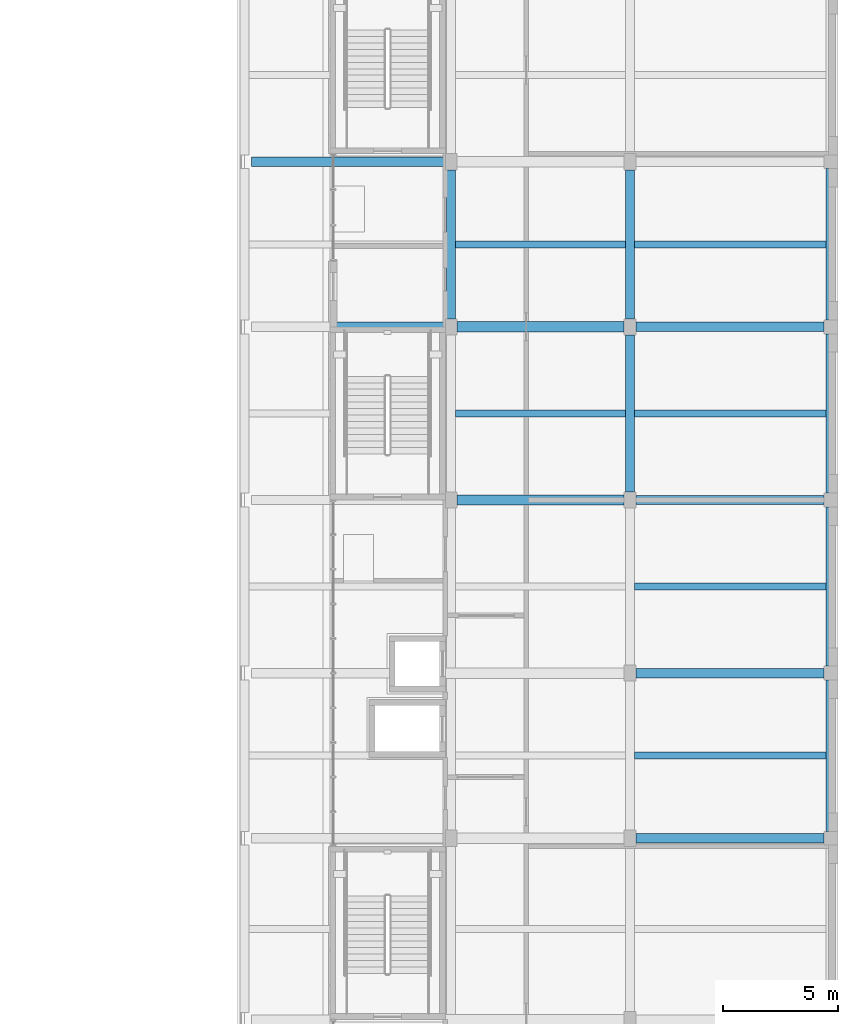
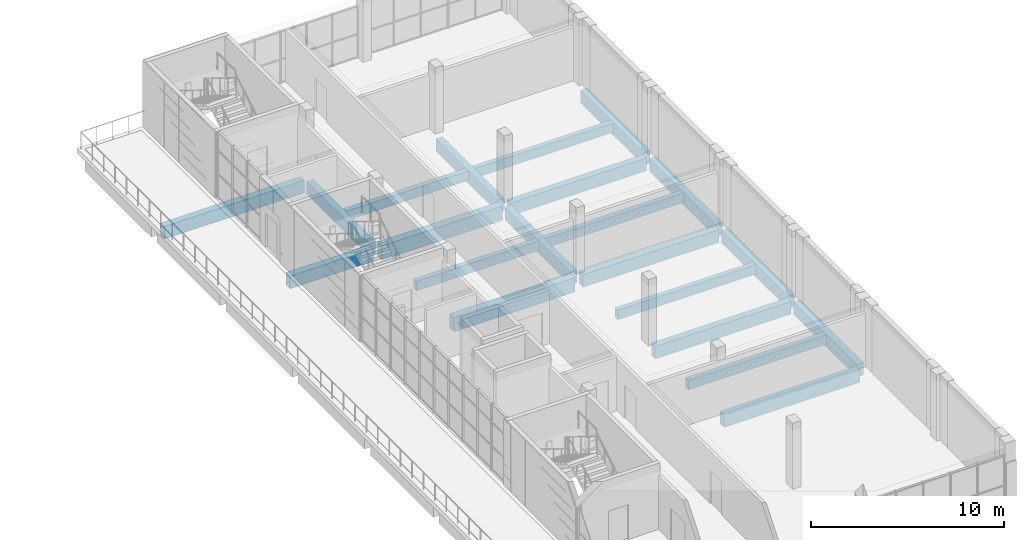
# One storey, part 12 of 36: 21 beams.
"""IFC4 building model written with IfcOpenShell, lengths in metres."""

import ifcopenshell
import ifcopenshell.guid

model = None  # the IFC model being written
_history = None  # IfcOwnerHistory: only IFC2X3 demands one
_inside = {}  # id of a spatial element -> (the spatial element, [elements in it])
_under = {}  # id of a project, library or spatial element -> (it, [spatial elements below it])
_declared = {}  # id of a project -> (the project, [libraries it declares])
_typed = {}  # id of a type object -> (the type object, [elements of that type])
_made_of = {}  # id of a material, layer set ... -> (it, [elements and type objects made of it])


def new_model(schema):
    """Start an empty IFC model of exactly this schema.

    Asked for "IFC4X3", IfcOpenShell would pick the latest addendum, in which some entities
    have other attributes; the version numbers below select the first issue.
    IFC2X3 requires an IfcOwnerHistory on every rooted entity: one is made here for all.
    """
    global model, _history
    if schema == "IFC4X3":
        model = ifcopenshell.file(schema_version=(4, 3, 0, 0))
    else:
        model = ifcopenshell.file(schema=schema)
    _inside.clear()
    _under.clear()
    _declared.clear()
    _typed.clear()
    _made_of.clear()
    _history = None
    if model.schema == "IFC2X3":
        org = make("IfcOrganization", Name="unknown")
        user = make(
            "IfcPersonAndOrganization",
            ThePerson=make("IfcPerson", FamilyName="unknown"),
            TheOrganization=org,
        )
        app = make(
            "IfcApplication",
            ApplicationDeveloper=org,
            Version="unknown",
            ApplicationFullName="unknown",
            ApplicationIdentifier="unknown",
        )
        _history = make(
            "IfcOwnerHistory",
            OwningUser=user,
            OwningApplication=app,
            ChangeAction="ADDED",
            CreationDate=0,
        )
    return model


def make(cls, **values):
    """One entity of the class cls with the attributes given. An attribute that is None is left unset."""
    return model.create_entity(
        cls, **{name: value for name, value in values.items() if value is not None}
    )


def rooted(cls, **values):
    """An entity with a GlobalId (a new one), such as an element, a storey or a relation."""
    return make(cls, GlobalId=ifcopenshell.guid.new(), OwnerHistory=_history, **values)


def si_unit(unit_type, name, prefix=None):
    """IfcSIUnit, for example si_unit("LENGTHUNIT", "METRE", prefix="MILLI")."""
    return make("IfcSIUnit", UnitType=unit_type, Prefix=prefix, Name=name)


def assignment(units):
    """IfcUnitAssignment: the units of a project."""
    return None if units is None else make("IfcUnitAssignment", Units=units)


def point(xyz):
    """IfcCartesianPoint."""
    return None if xyz is None else make("IfcCartesianPoint", Coordinates=xyz)


def direction(xyz):
    """IfcDirection."""
    return None if xyz is None else make("IfcDirection", DirectionRatios=xyz)


def frame(location, z_axis=None, x_axis=None):
    """IfcAxis2Placement3D, a coordinate frame: its origin and axes. An axis left out is left unset."""
    return make(
        "IfcAxis2Placement3D",
        Location=point(location),
        Axis=direction(z_axis),
        RefDirection=direction(x_axis),
    )


def frame_2d(location, x_axis=None):
    """IfcAxis2Placement2D, a coordinate frame in the plane: its origin and x axis."""
    return make(
        "IfcAxis2Placement2D", Location=point(location), RefDirection=direction(x_axis)
    )


def origin():
    """The frame at (0, 0, 0) with its axes left unset."""
    return frame((0.0, 0.0, 0.0))


def origin_2d():
    """The frame at (0, 0) in the plane with its x axis left unset."""
    return frame_2d((0.0, 0.0))


def place(relative_to, where):
    """IfcLocalPlacement: puts the frame where relative to a parent placement (None: the world)."""
    return make(
        "IfcLocalPlacement", PlacementRelTo=relative_to, RelativePlacement=where
    )


def context(
    kind, dimensions, precision=None, world=None, true_north=None, identifier=None
):
    """IfcGeometricRepresentationContext, for example the 3D "Model" context."""
    return make(
        "IfcGeometricRepresentationContext",
        ContextIdentifier=identifier,
        ContextType=kind,
        CoordinateSpaceDimension=dimensions,
        Precision=precision,
        WorldCoordinateSystem=world,
        TrueNorth=true_north,
    )


def subcontext(parent, identifier, kind, view, scale=None):
    """IfcGeometricRepresentationSubContext, for example "Body" below "Model"."""
    return make(
        "IfcGeometricRepresentationSubContext",
        ContextIdentifier=identifier,
        ContextType=kind,
        ParentContext=parent,
        TargetScale=scale,
        TargetView=view,
    )


def project(units=None, contexts=None):
    """IfcProject with its units and contexts."""
    return rooted(
        "IfcProject",
        Name="project",
        RepresentationContexts=contexts,
        UnitsInContext=assignment(units),
    )


def spatial(cls, under=None, at=None, **own):
    """A site, building, storey or space (cls), placed at a placement, below another one or the project."""
    s = rooted(cls, ObjectPlacement=at, **own)
    if under is not None:
        _under.setdefault(under.id(), (under, []))[1].append(s)
    return s


def profile(cls, at=None, kind="AREA", **sizes):
    """A parametric profile (cls). Its sizes go by their IFC names, for example OverallWidth=200.0."""
    return make(cls, ProfileType=kind, Position=at, **sizes)


def rectangle(**sizes):
    """IfcRectangleProfileDef."""
    return profile("IfcRectangleProfileDef", **sizes)


def extrude(swept, where, along, depth):
    """IfcExtrudedAreaSolid: the profile swept, set in the frame where, extruded along a direction by depth."""
    return make(
        "IfcExtrudedAreaSolid",
        SweptArea=swept,
        Position=where,
        ExtrudedDirection=direction(along),
        Depth=depth,
    )


def shape(context_of_items, identifier, shape_type, items):
    """IfcShapeRepresentation: the items that make up one representation, for example the "Body"."""
    return make(
        "IfcShapeRepresentation",
        ContextOfItems=context_of_items,
        RepresentationIdentifier=identifier,
        RepresentationType=shape_type,
        Items=items,
    )


def material(Name=None, Category=None):
    """IfcMaterial."""
    return make("IfcMaterial", Name=Name, Category=Category)


def material_profile(
    of_material, cross_section, Name=None, Category=None, Priority=None
):
    """IfcMaterialProfile: a cross section and its material."""
    return make(
        "IfcMaterialProfile",
        Name=Name,
        Material=of_material,
        Profile=cross_section,
        Priority=Priority,
        Category=Category,
    )


def profile_set(profiles, Name=None, composite=None):
    """IfcMaterialProfileSet."""
    return make(
        "IfcMaterialProfileSet",
        Name=Name,
        MaterialProfiles=profiles,
        CompositeProfile=composite,
    )


def made_of(thing, what):
    """Note that an element or type object is made of a material, layer set ...; save() writes the relation."""
    if what is not None:
        _made_of.setdefault(what.id(), (what, []))[1].append(thing)
    return thing


def type_object(cls, material=None, **own):
    """A type object (cls), such as IfcWallType, which elements share."""
    return made_of(rooted(cls, **own), material)


def element(
    cls,
    number,
    at=None,
    inside=None,
    cuts=None,
    type_object=None,
    material=None,
    context=None,
    identifier="Body",
    shape_type=None,
    held_by="IfcProductDefinitionShape",
    body=None,
    shapes=None,
    **own,
):
    """One element of the class cls, such as IfcWall. Its Tag is "e" and its number.

    at: its placement. inside: the storey or other place that contains it. cuts: it is an
    opening in that element (IfcRelVoidsElement). A single representation is given by context,
    identifier, shape_type and body (its items); several are given by shapes. held_by: the class
    of the entity that holds the representations. save() writes the other relations.
    """
    e = rooted(cls, Tag="e%d" % number, ObjectPlacement=at, **own)
    if body is not None:
        shapes = [shape(context, identifier, shape_type, body)]
    if shapes is not None:
        e.Representation = make(held_by, Representations=shapes)
    if inside is not None:
        _inside.setdefault(inside.id(), (inside, []))[1].append(e)
    if cuts is not None:
        rooted(
            "IfcRelVoidsElement", RelatingBuildingElement=cuts, RelatedOpeningElement=e
        )
    if type_object is not None:
        _typed.setdefault(type_object.id(), (type_object, []))[1].append(e)
    return made_of(e, material)


def aggregate(whole, parts):
    """IfcRelAggregates: a whole, such as a stair, and the parts it consists of."""
    return rooted("IfcRelAggregates", RelatingObject=whole, RelatedObjects=parts)


def save(model, path):
    """Write the relations noted so far, then the file.

    IfcRelAggregates (storeys below a building ...), IfcRelContainedInSpatialStructure (elements
    in a storey), IfcRelDefinesByType, IfcRelAssociatesMaterial and IfcRelDeclares: one each for
    every whole, place, type object, material and project.
    """
    for whole, parts in _under.values():
        aggregate(whole, parts)
    for where, things in _inside.values():
        rooted(
            "IfcRelContainedInSpatialStructure",
            RelatedElements=things,
            RelatingStructure=where,
        )
    for kind, things in _typed.values():
        rooted("IfcRelDefinesByType", RelatedObjects=things, RelatingType=kind)
    for what, things in _made_of.values():
        rooted("IfcRelAssociatesMaterial", RelatedObjects=things, RelatingMaterial=what)
    for by, libraries in _declared.values():
        rooted("IfcRelDeclares", RelatingContext=by, RelatedDefinitions=libraries)
    model.write(path)


model = new_model("IFC4")

# Units and contexts
model_context = context("Model", 3, precision=1e-05, world=origin(), true_north=direction((0.0, 1.0)))
body_context = subcontext(model_context, "Body", "Model", "MODEL_VIEW")
ifc_project = project(units=[si_unit("LENGTHUNIT", "METRE"), si_unit("AREAUNIT", "SQUARE_METRE"), si_unit("VOLUMEUNIT", "CUBIC_METRE"), si_unit("PLANEANGLEUNIT", "RADIAN"), si_unit("MASSUNIT", "GRAM", prefix="KILO")], contexts=[model_context])

# Site, building, storey
site_placement = place(None, origin())
site = spatial("IfcSite", under=ifc_project, at=site_placement, CompositionType="ELEMENT")
building_placement = place(site_placement, origin())
building = spatial("IfcBuilding", under=site, at=building_placement, Name="Sun Court Science Centre", CompositionType="ELEMENT")
storey_placement = place(building_placement, frame((0.0, 0.0, 24.75)))
storey = spatial("IfcBuildingStorey", under=building, at=storey_placement, Name="L05", CompositionType="ELEMENT", Elevation=24.75)

# Beams
ifc_material_1 = material(Name="Concrete C25/30", Category="concrete")
ifc_material_profile_1 = material_profile(ifc_material_1, rectangle(XDim=0.39990234375, YDim=0.800048828125, at=origin_2d()), Name="RC 400x800")
ifc_profile_set_1 = profile_set([ifc_material_profile_1], Name="Concrete C25/30")
beam_type_1 = type_object("IfcBeamType", Name="RC girder 400x800", PredefinedType="BEAM", material=ifc_profile_set_1)
for number, where, z_axis, x_axis, name in (
    (1, (95.25, 43.85009765625, -0.699951171875), (1.0, 0.0, 0.0), (0.0, 1.0, 0.0), "Girder L05 row 3"),
    (2, (95.25, 51.0, -0.699951171875), (1.0, 0.0, 0.0), (0.0, 1.0, 0.0), "Girder L05 row 4"),
    (3, (95.25, 58.5, -0.699951171875), (1.0, 0.0, 0.0), (0.0, 1.0, 0.0), "Girder L05 row 5"),
):
    element("IfcBeam", number, at=place(storey_placement, frame(where, z_axis=z_axis, x_axis=x_axis)), inside=storey, type_object=beam_type_1, Name=name, PredefinedType="BEAM", context=body_context, shape_type="SweptSolid", body=[
        extrude(rectangle(XDim=0.39990234375, YDim=0.800048828125, at=origin_2d()), origin(), (0.0, 0.0, 1.0), 8.14990234375),
    ])
beam_1_placement = place(storey_placement, frame((82.0, 66.0, -0.699951171875), z_axis=(1.0, 0.0, 0.0), x_axis=(0.0, 1.0, 0.0)))
element("IfcBeam", 4, at=beam_1_placement, inside=storey, type_object=beam_type_1, Name="Girder L05 row 6", PredefinedType="BEAM", context=body_context, shape_type="SweptSolid", body=[
    extrude(rectangle(XDim=0.39990234375, YDim=0.800048828125, at=origin_2d()), origin(), (0.0, 0.0, 1.0), 5.0),
])
beam_2_placement = place(storey_placement, frame((95.25, 66.0, -0.699951171875), z_axis=(1.0, 0.0, 0.0), x_axis=(0.0, 1.0, 0.0)))
element("IfcBeam", 5, at=beam_2_placement, inside=storey, type_object=beam_type_1, Name="Girder L05 row 6", PredefinedType="BEAM", context=body_context, shape_type="SweptSolid", body=[
    extrude(rectangle(XDim=0.39990234375, YDim=0.800048828125, at=origin_2d()), origin(), (0.0, 0.0, 1.0), 8.14990234375),
])
beam_3_placement = place(storey_placement, frame((78.60009765625, 73.14990234375, -0.699951171875), z_axis=(1.0, 0.0, 0.0), x_axis=(0.0, 1.0, 0.0)))
element("IfcBeam", 6, at=beam_3_placement, inside=storey, type_object=beam_type_1, Name="Girder L05 row 7", PredefinedType="BEAM", context=body_context, shape_type="SweptSolid", body=[
    extrude(rectangle(XDim=0.39990234375, YDim=0.800048828125, at=origin_2d()), origin(), (0.0, 0.0, 1.0), 8.39990234375),
])
beam_4_placement = place(storey_placement, frame((87.25, 66.35009765625, -0.699951171875), z_axis=(0.0, 1.0, 0.0), x_axis=(-1.0, 0.0, 0.0)))
element("IfcBeam", 7, at=beam_4_placement, inside=storey, type_object=beam_type_1, Name="Girder L05 line 2", PredefinedType="BEAM", context=body_context, shape_type="SweptSolid", body=[
    extrude(rectangle(XDim=0.39990234375, YDim=0.800048828125, at=origin_2d()), origin(), (0.0, 0.0, 1.0), 6.449951171875),
])
beam_5_placement = place(storey_placement, frame((95.0, 58.85009765625, -0.699951171875), z_axis=(0.0, 1.0, 0.0), x_axis=(-1.0, 0.0, 0.0)))
element("IfcBeam", 8, at=beam_5_placement, inside=storey, type_object=beam_type_1, Name="Girder L05 line 3", PredefinedType="BEAM", context=body_context, shape_type="SweptSolid", body=[
    extrude(rectangle(XDim=0.39990234375, YDim=0.800048828125, at=origin_2d()), origin(), (0.0, 0.0, 1.0), 6.7998046875),
])
beam_6_placement = place(storey_placement, frame((95.0, 66.35009765625, -0.699951171875), z_axis=(0.0, 1.0, 0.0), x_axis=(-1.0, 0.0, 0.0)))
element("IfcBeam", 9, at=beam_6_placement, inside=storey, type_object=beam_type_1, Name="Girder L05 line 3", PredefinedType="BEAM", context=body_context, shape_type="SweptSolid", body=[
    extrude(rectangle(XDim=0.39990234375, YDim=0.800048828125, at=origin_2d()), origin(), (0.0, 0.0, 1.0), 6.449951171875),
])
beam_7_placement = place(storey_placement, frame((103.699951171875, 44.14990234375, -0.699951171875), z_axis=(0.0, 1.0, 0.0), x_axis=(-1.0, 0.0, 0.0)))
element("IfcBeam", 10, at=beam_7_placement, inside=storey, type_object=beam_type_1, Name="Girder L05 line 4", PredefinedType="BEAM", context=body_context, shape_type="SweptSolid", body=[
    extrude(rectangle(XDim=0.39990234375, YDim=0.800048828125, at=origin_2d()), origin(), (0.0, 0.0, 1.0), 6.550048828125),
])
for number, where, z_axis, x_axis, name in (
    (11, (103.699951171875, 51.300048828125, -0.699951171875), (0.0, 1.0, 0.0), (-1.0, 0.0, 0.0), "Girder L05 line 4"),
    (12, (103.699951171875, 58.800048828125, -0.699951171875), (0.0, 1.0, 0.0), (-1.0, 0.0, 0.0), "Girder L05 line 4"),
):
    element("IfcBeam", number, at=place(storey_placement, frame(where, z_axis=z_axis, x_axis=x_axis)), inside=storey, type_object=beam_type_1, Name=name, PredefinedType="BEAM", context=body_context, shape_type="SweptSolid", body=[
        extrude(rectangle(XDim=0.39990234375, YDim=0.800048828125, at=origin_2d()), origin(), (0.0, 0.0, 1.0), 6.89990234375),
    ])
beam_8_placement = place(storey_placement, frame((103.699951171875, 66.300048828125, -0.699951171875), z_axis=(0.0, 1.0, 0.0), x_axis=(-1.0, 0.0, 0.0)))
element("IfcBeam", 13, at=beam_8_placement, inside=storey, type_object=beam_type_1, Name="Girder L05 line 4", PredefinedType="BEAM", context=body_context, shape_type="SweptSolid", body=[
    extrude(rectangle(XDim=0.39990234375, YDim=0.800048828125, at=origin_2d()), origin(), (0.0, 0.0, 1.0), 6.550048828125),
])
ifc_material_2 = material(Name="Concrete C25/30", Category="concrete")
ifc_material_profile_2 = material_profile(ifc_material_2, rectangle(XDim=0.449951171875, YDim=0.89990234375, at=origin_2d()), Name="RC 450x900")
ifc_profile_set_2 = profile_set([ifc_material_profile_2], Name="Concrete C25/30")
beam_type_2 = type_object("IfcBeamType", Name="RC girder 450x900", PredefinedType="BEAM", material=ifc_profile_set_2)
for number, where, z_axis, x_axis, name in (
    (14, (87.5, 58.5, -0.75), (1.0, 0.0, 0.0), (0.0, 1.0, 0.0), "Girder L05 row 5"),
    (15, (87.5, 66.0, -0.75), (1.0, 0.0, 0.0), (0.0, 1.0, 0.0), "Girder L05 row 6"),
):
    element("IfcBeam", number, at=place(storey_placement, frame(where, z_axis=z_axis, x_axis=x_axis)), inside=storey, type_object=beam_type_2, Name=name, PredefinedType="BEAM", context=body_context, shape_type="SweptSolid", body=[
        extrude(rectangle(XDim=0.449951171875, YDim=0.89990234375, at=origin_2d()), origin(), (0.0, 0.0, 1.0), 7.25),
    ])
ifc_material_3 = material(Name="Concrete C25/30", Category="concrete")
ifc_material_profile_3 = material_profile(ifc_material_3, rectangle(XDim=0.300048828125, YDim=0.60009765625, at=origin_2d()), Name="RC 300x600")
ifc_profile_set_3 = profile_set([ifc_material_profile_3], Name="Concrete C25/30")
beam_type_3 = type_object("IfcBeamType", Name="RC joist 300x600", PredefinedType="JOIST", material=ifc_profile_set_3)
for number, where, z_axis, x_axis, name in (
    (16, (95.199951171875, 47.425048828125, -0.60009765625), (1.0, 0.0, 0.0), (0.0, 1.0, 0.0), "Joist L05"),
    (17, (95.199951171875, 54.75, -0.60009765625), (1.0, 0.0, 0.0), (0.0, 1.0, 0.0), "Joist L05"),
):
    element("IfcBeam", number, at=place(storey_placement, frame(where, z_axis=z_axis, x_axis=x_axis)), inside=storey, type_object=beam_type_3, Name=name, PredefinedType="JOIST", context=body_context, shape_type="SweptSolid", body=[
        extrude(rectangle(XDim=0.300048828125, YDim=0.60009765625, at=origin_2d()), origin(), (0.0, 0.0, 1.0), 8.300048828125),
    ])
beam_9_placement = place(storey_placement, frame((87.449951171875, 62.25, -0.60009765625), z_axis=(1.0, 0.0, 0.0), x_axis=(0.0, 1.0, 0.0)))
element("IfcBeam", 18, at=beam_9_placement, inside=storey, type_object=beam_type_3, Name="Joist L05", PredefinedType="JOIST", context=body_context, shape_type="SweptSolid", body=[
    extrude(rectangle(XDim=0.300048828125, YDim=0.60009765625, at=origin_2d()), origin(), (0.0, 0.0, 1.0), 7.35009765625),
])
beam_10_placement = place(storey_placement, frame((95.199951171875, 62.25, -0.60009765625), z_axis=(1.0, 0.0, 0.0), x_axis=(0.0, 1.0, 0.0)))
element("IfcBeam", 19, at=beam_10_placement, inside=storey, type_object=beam_type_3, Name="Joist L05", PredefinedType="JOIST", context=body_context, shape_type="SweptSolid", body=[
    extrude(rectangle(XDim=0.300048828125, YDim=0.60009765625, at=origin_2d()), origin(), (0.0, 0.0, 1.0), 8.300048828125),
])
beam_11_placement = place(storey_placement, frame((87.449951171875, 69.574951171875, -0.60009765625), z_axis=(1.0, 0.0, 0.0), x_axis=(0.0, 1.0, 0.0)))
element("IfcBeam", 20, at=beam_11_placement, inside=storey, type_object=beam_type_3, Name="Joist L05", PredefinedType="JOIST", context=body_context, shape_type="SweptSolid", body=[
    extrude(rectangle(XDim=0.300048828125, YDim=0.60009765625, at=origin_2d()), origin(), (0.0, 0.0, 1.0), 7.35009765625),
])
beam_12_placement = place(storey_placement, frame((95.199951171875, 69.574951171875, -0.60009765625), z_axis=(1.0, 0.0, 0.0), x_axis=(0.0, 1.0, 0.0)))
element("IfcBeam", 21, at=beam_12_placement, inside=storey, type_object=beam_type_3, Name="Joist L05", PredefinedType="JOIST", context=body_context, shape_type="SweptSolid", body=[
    extrude(rectangle(XDim=0.300048828125, YDim=0.60009765625, at=origin_2d()), origin(), (0.0, 0.0, 1.0), 8.300048828125),
])

save(model, "model.ifc")
